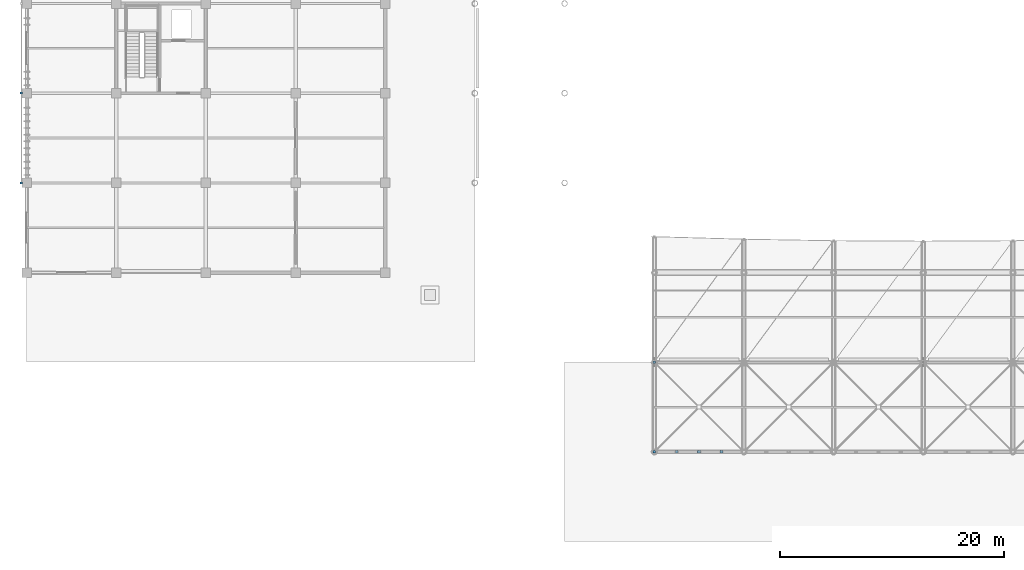
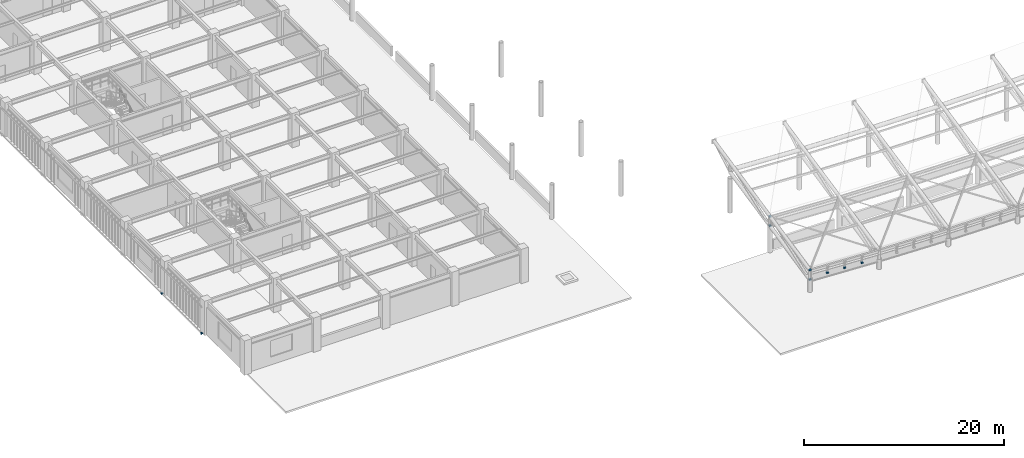
# One storey, part 64 of 78: 9 discrete accessories.
"""IFC4 building model written with IfcOpenShell, lengths in metres."""

from ifc_helpers import new_model, si_unit, direction, frame, origin, origin_2d, place, context, subcontext, project, spatial, rectangle, extrude, material, layer, layer_set, type_object, element, save


model = new_model("IFC4")

# Units and contexts
model_context = context("Model", 3, precision=1e-05, world=origin(), true_north=direction((0.0, 1.0)))
body_context = subcontext(model_context, "Body", "Model", "MODEL_VIEW")
ifc_project = project(units=[si_unit("LENGTHUNIT", "METRE"), si_unit("AREAUNIT", "SQUARE_METRE"), si_unit("VOLUMEUNIT", "CUBIC_METRE"), si_unit("PLANEANGLEUNIT", "RADIAN"), si_unit("MASSUNIT", "GRAM", prefix="KILO")], contexts=[model_context])

# Site, building, storey
site_placement = place(None, origin())
site = spatial("IfcSite", under=ifc_project, at=site_placement, CompositionType="ELEMENT")
building_placement = place(site_placement, origin())
building = spatial("IfcBuilding", under=site, at=building_placement, Name="Haebicheon Civic Stadium", CompositionType="ELEMENT")
storey_placement = place(building_placement, frame((0.0, 0.0, 18.60009765625)))
storey = spatial("IfcBuildingStorey", under=building, at=storey_placement, Name="L05", CompositionType="ELEMENT", Elevation=18.60009765625)

# Discrete accessories
ifc_material_1 = material(Name="White painted steel SM490", Category="steel")
ifc_layer_1 = layer(ifc_material_1, 0.179931640625, Name="White painted steel SM490")
ifc_layer_set_1 = layer_set([ifc_layer_1], Name="White painted steel SM490")
discrete_accessory_type_1 = type_object("IfcDiscreteAccessoryType", Name="BRK-END-PLT", PredefinedType="BRACKET", material=ifc_layer_set_1)
for number, where, z_axis, x_axis, name in (
    (1, (80.0, 24.0, 1.34716796875), (0.0, 0.0, 1.0), (1.0, 0.0, 0.0), "CAN-SOUTH truss 1 node bolted end connection plate"),
    (2, (80.0, 24.0, 2.4970703125), (0.0, 0.0, 1.0), (1.0, 0.0, 0.0), "CAN-SOUTH truss 1 node bolted end connection plate"),
    (3, (80.0, 32.0, 3.06689453125), (0.0, 0.0, 1.0), (1.0, 0.0, 0.0), "CAN-SOUTH truss 1 node bolted end connection plate"),
    (4, (80.0, 32.0, 4.216796875), (0.0, 0.0, 1.0), (1.0, 0.0, 0.0), "CAN-SOUTH truss 1 node bolted end connection plate"),
    (5, (82.0, 24.0, 1.5048828125), (0.0, 0.0, 1.0), (1.0, 0.0, 0.0), "CAN-SOUTH hanger base 1.1 bolted end connection plate"),
    (6, (84.0, 24.0, 1.4130859375), (0.0, 0.0, 1.0), (1.0, 0.0, 0.0), "CAN-SOUTH hanger base 1.2 bolted end connection plate"),
    (7, (86.0, 24.0, 1.32177734375), (0.0, 0.0, 1.0), (1.0, 0.0, 0.0), "CAN-SOUTH hanger base 1.3 bolted end connection plate"),
):
    element("IfcDiscreteAccessory", number, at=place(storey_placement, frame(where, z_axis=z_axis, x_axis=x_axis)), inside=storey, type_object=discrete_accessory_type_1, material=ifc_layer_set_1, Name=name, PredefinedType="BRACKET", context=body_context, shape_type="SweptSolid", body=[
        extrude(rectangle(XDim=0.239990234375, YDim=0.239990234375, at=origin_2d()), origin(), (0.0, 0.0, 1.0), 0.179931640625),
    ])
ifc_material_2 = material(Name="Stainless steel 316", Category="steel")
ifc_layer_2 = layer(ifc_material_2, 0.139892578125, Name="Stainless steel 316")
ifc_layer_set_2 = layer_set([ifc_layer_2], Name="Stainless steel 316")
discrete_accessory_type_2 = type_object("IfcDiscreteAccessoryType", Name="BRK-LVR-CLEAT", PredefinedType="BRACKET", material=ifc_layer_set_2)
for number, where, z_axis, x_axis, name in (
    (8, (23.534912109375, 48.0, 0.009765625), (0.0, 0.0, 1.0), (1.0, 0.0, 0.0), "SCR-WEST L05 stainless bracket cleat 1A"),
    (9, (23.534912109375, 56.0, 0.009765625), (0.0, 0.0, 1.0), (1.0, 0.0, 0.0), "SCR-WEST L05 stainless bracket cleat 1B"),
):
    element("IfcDiscreteAccessory", number, at=place(storey_placement, frame(where, z_axis=z_axis, x_axis=x_axis)), inside=storey, type_object=discrete_accessory_type_2, material=ifc_layer_set_2, Name=name, PredefinedType="BRACKET", context=body_context, shape_type="SweptSolid", body=[
        extrude(rectangle(XDim=0.239990234375, YDim=0.179931640625, at=origin_2d()), origin(), (0.0, 0.0, 1.0), 0.139892578125),
    ])

save(model, "model.ifc")
